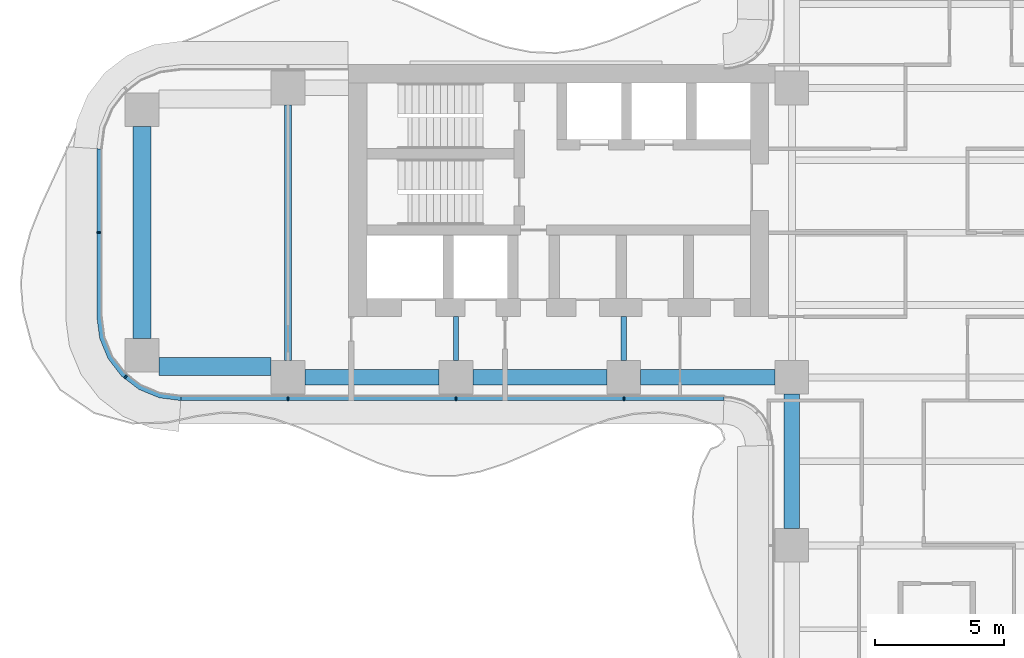
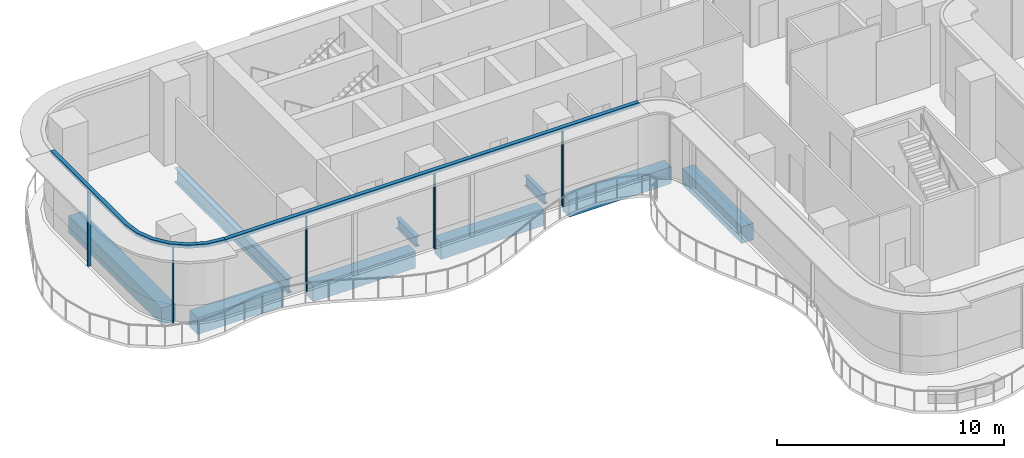
# One storey, part 3 of 20: 9 beams, 7 members, 2 elements without a shape of their own.
"""IFC4 building model written with IfcOpenShell, lengths in metres."""

import ifcopenshell
import ifcopenshell.guid

model = None  # the IFC model being written
_history = None  # IfcOwnerHistory: only IFC2X3 demands one
_inside = {}  # id of a spatial element -> (the spatial element, [elements in it])
_under = {}  # id of a project, library or spatial element -> (it, [spatial elements below it])
_declared = {}  # id of a project -> (the project, [libraries it declares])
_typed = {}  # id of a type object -> (the type object, [elements of that type])
_made_of = {}  # id of a material, layer set ... -> (it, [elements and type objects made of it])


def new_model(schema):
    """Start an empty IFC model of exactly this schema.

    Asked for "IFC4X3", IfcOpenShell would pick the latest addendum, in which some entities
    have other attributes; the version numbers below select the first issue.
    IFC2X3 requires an IfcOwnerHistory on every rooted entity: one is made here for all.
    """
    global model, _history
    if schema == "IFC4X3":
        model = ifcopenshell.file(schema_version=(4, 3, 0, 0))
    else:
        model = ifcopenshell.file(schema=schema)
    _inside.clear()
    _under.clear()
    _declared.clear()
    _typed.clear()
    _made_of.clear()
    _history = None
    if model.schema == "IFC2X3":
        org = make("IfcOrganization", Name="unknown")
        user = make(
            "IfcPersonAndOrganization",
            ThePerson=make("IfcPerson", FamilyName="unknown"),
            TheOrganization=org,
        )
        app = make(
            "IfcApplication",
            ApplicationDeveloper=org,
            Version="unknown",
            ApplicationFullName="unknown",
            ApplicationIdentifier="unknown",
        )
        _history = make(
            "IfcOwnerHistory",
            OwningUser=user,
            OwningApplication=app,
            ChangeAction="ADDED",
            CreationDate=0,
        )
    return model


def make(cls, **values):
    """One entity of the class cls with the attributes given. An attribute that is None is left unset."""
    return model.create_entity(
        cls, **{name: value for name, value in values.items() if value is not None}
    )


def rooted(cls, **values):
    """An entity with a GlobalId (a new one), such as an element, a storey or a relation."""
    return make(cls, GlobalId=ifcopenshell.guid.new(), OwnerHistory=_history, **values)


def si_unit(unit_type, name, prefix=None):
    """IfcSIUnit, for example si_unit("LENGTHUNIT", "METRE", prefix="MILLI")."""
    return make("IfcSIUnit", UnitType=unit_type, Prefix=prefix, Name=name)


def assignment(units):
    """IfcUnitAssignment: the units of a project."""
    return None if units is None else make("IfcUnitAssignment", Units=units)


def point(xyz):
    """IfcCartesianPoint."""
    return None if xyz is None else make("IfcCartesianPoint", Coordinates=xyz)


def direction(xyz):
    """IfcDirection."""
    return None if xyz is None else make("IfcDirection", DirectionRatios=xyz)


def frame(location, z_axis=None, x_axis=None):
    """IfcAxis2Placement3D, a coordinate frame: its origin and axes. An axis left out is left unset."""
    return make(
        "IfcAxis2Placement3D",
        Location=point(location),
        Axis=direction(z_axis),
        RefDirection=direction(x_axis),
    )


def frame_2d(location, x_axis=None):
    """IfcAxis2Placement2D, a coordinate frame in the plane: its origin and x axis."""
    return make(
        "IfcAxis2Placement2D", Location=point(location), RefDirection=direction(x_axis)
    )


def origin():
    """The frame at (0, 0, 0) with its axes left unset."""
    return frame((0.0, 0.0, 0.0))


def origin_2d():
    """The frame at (0, 0) in the plane with its x axis left unset."""
    return frame_2d((0.0, 0.0))


def place(relative_to, where):
    """IfcLocalPlacement: puts the frame where relative to a parent placement (None: the world)."""
    return make(
        "IfcLocalPlacement", PlacementRelTo=relative_to, RelativePlacement=where
    )


def context(
    kind, dimensions, precision=None, world=None, true_north=None, identifier=None
):
    """IfcGeometricRepresentationContext, for example the 3D "Model" context."""
    return make(
        "IfcGeometricRepresentationContext",
        ContextIdentifier=identifier,
        ContextType=kind,
        CoordinateSpaceDimension=dimensions,
        Precision=precision,
        WorldCoordinateSystem=world,
        TrueNorth=true_north,
    )


def subcontext(parent, identifier, kind, view, scale=None):
    """IfcGeometricRepresentationSubContext, for example "Body" below "Model"."""
    return make(
        "IfcGeometricRepresentationSubContext",
        ContextIdentifier=identifier,
        ContextType=kind,
        ParentContext=parent,
        TargetScale=scale,
        TargetView=view,
    )


def project(units=None, contexts=None):
    """IfcProject with its units and contexts."""
    return rooted(
        "IfcProject",
        Name="project",
        RepresentationContexts=contexts,
        UnitsInContext=assignment(units),
    )


def spatial(cls, under=None, at=None, **own):
    """A site, building, storey or space (cls), placed at a placement, below another one or the project."""
    s = rooted(cls, ObjectPlacement=at, **own)
    if under is not None:
        _under.setdefault(under.id(), (under, []))[1].append(s)
    return s


def polyline(points):
    """IfcPolyline through the points."""
    return make("IfcPolyline", Points=[point(p) for p in points])


def profile(cls, at=None, kind="AREA", **sizes):
    """A parametric profile (cls). Its sizes go by their IFC names, for example OverallWidth=200.0."""
    return make(cls, ProfileType=kind, Position=at, **sizes)


def rectangle(**sizes):
    """IfcRectangleProfileDef."""
    return profile("IfcRectangleProfileDef", **sizes)


def i_section(**sizes):
    """IfcIShapeProfileDef."""
    return profile("IfcIShapeProfileDef", **sizes)


def outline(outer, holes=None, kind="AREA"):
    """IfcArbitraryClosedProfileDef: a profile drawn as a closed curve; with holes, ...WithVoids."""
    if holes is None:
        return make("IfcArbitraryClosedProfileDef", ProfileType=kind, OuterCurve=outer)
    return make(
        "IfcArbitraryProfileDefWithVoids",
        ProfileType=kind,
        OuterCurve=outer,
        InnerCurves=holes,
    )


def extrude(swept, where, along, depth):
    """IfcExtrudedAreaSolid: the profile swept, set in the frame where, extruded along a direction by depth."""
    return make(
        "IfcExtrudedAreaSolid",
        SweptArea=swept,
        Position=where,
        ExtrudedDirection=direction(along),
        Depth=depth,
    )


def shape(context_of_items, identifier, shape_type, items):
    """IfcShapeRepresentation: the items that make up one representation, for example the "Body"."""
    return make(
        "IfcShapeRepresentation",
        ContextOfItems=context_of_items,
        RepresentationIdentifier=identifier,
        RepresentationType=shape_type,
        Items=items,
    )


def source(mapping_origin, context_of_items, identifier, shape_type, items):
    """IfcRepresentationMap: a shape defined once, which mapped items show again and again."""
    return make(
        "IfcRepresentationMap",
        MappingOrigin=mapping_origin,
        MappedRepresentation=shape(context_of_items, identifier, shape_type, items),
    )


def transform(
    local_origin,
    x_axis=None,
    y_axis=None,
    z_axis=None,
    scale=None,
    scale2=None,
    scale3=None,
    uniform=True,
):
    """IfcCartesianTransformationOperator3D, or its non-uniform kind. x_axis, y_axis, z_axis: its Axis1, 2, 3."""
    if uniform:
        return make(
            "IfcCartesianTransformationOperator3D",
            Axis1=direction(x_axis),
            Axis2=direction(y_axis),
            LocalOrigin=point(local_origin),
            Scale=scale,
            Axis3=direction(z_axis),
        )
    return make(
        "IfcCartesianTransformationOperator3DnonUniform",
        Axis1=direction(x_axis),
        Axis2=direction(y_axis),
        LocalOrigin=point(local_origin),
        Scale=scale,
        Axis3=direction(z_axis),
        Scale2=scale2,
        Scale3=scale3,
    )


def mapped(mapping_source, mapping_target):
    """IfcMappedItem: shows the shape of a source again, moved by a transform."""
    return make(
        "IfcMappedItem", MappingSource=mapping_source, MappingTarget=mapping_target
    )


def material(Name=None, Category=None):
    """IfcMaterial."""
    return make("IfcMaterial", Name=Name, Category=Category)


def layer(
    of_material, thickness, ventilated=None, Name=None, Category=None, Priority=None
):
    """IfcMaterialLayer: one layer of a wall or slab, of a material (None: an air gap)."""
    return make(
        "IfcMaterialLayer",
        Material=of_material,
        LayerThickness=thickness,
        IsVentilated=ventilated,
        Name=Name,
        Category=Category,
        Priority=Priority,
    )


def layer_set(layers, Name=None):
    """IfcMaterialLayerSet."""
    return make("IfcMaterialLayerSet", MaterialLayers=layers, LayerSetName=Name)


def material_profile(
    of_material, cross_section, Name=None, Category=None, Priority=None
):
    """IfcMaterialProfile: a cross section and its material."""
    return make(
        "IfcMaterialProfile",
        Name=Name,
        Material=of_material,
        Profile=cross_section,
        Priority=Priority,
        Category=Category,
    )


def profile_set(profiles, Name=None, composite=None):
    """IfcMaterialProfileSet."""
    return make(
        "IfcMaterialProfileSet",
        Name=Name,
        MaterialProfiles=profiles,
        CompositeProfile=composite,
    )


def made_of(thing, what):
    """Note that an element or type object is made of a material, layer set ...; save() writes the relation."""
    if what is not None:
        _made_of.setdefault(what.id(), (what, []))[1].append(thing)
    return thing


def type_object(cls, material=None, **own):
    """A type object (cls), such as IfcWallType, which elements share."""
    return made_of(rooted(cls, **own), material)


def element(
    cls,
    number,
    at=None,
    inside=None,
    cuts=None,
    type_object=None,
    material=None,
    context=None,
    identifier="Body",
    shape_type=None,
    held_by="IfcProductDefinitionShape",
    body=None,
    shapes=None,
    **own,
):
    """One element of the class cls, such as IfcWall. Its Tag is "e" and its number.

    at: its placement. inside: the storey or other place that contains it. cuts: it is an
    opening in that element (IfcRelVoidsElement). A single representation is given by context,
    identifier, shape_type and body (its items); several are given by shapes. held_by: the class
    of the entity that holds the representations. save() writes the other relations.
    """
    e = rooted(cls, Tag="e%d" % number, ObjectPlacement=at, **own)
    if body is not None:
        shapes = [shape(context, identifier, shape_type, body)]
    if shapes is not None:
        e.Representation = make(held_by, Representations=shapes)
    if inside is not None:
        _inside.setdefault(inside.id(), (inside, []))[1].append(e)
    if cuts is not None:
        rooted(
            "IfcRelVoidsElement", RelatingBuildingElement=cuts, RelatedOpeningElement=e
        )
    if type_object is not None:
        _typed.setdefault(type_object.id(), (type_object, []))[1].append(e)
    return made_of(e, material)


def aggregate(whole, parts):
    """IfcRelAggregates: a whole, such as a stair, and the parts it consists of."""
    return rooted("IfcRelAggregates", RelatingObject=whole, RelatedObjects=parts)


def save(model, path):
    """Write the relations noted so far, then the file.

    IfcRelAggregates (storeys below a building ...), IfcRelContainedInSpatialStructure (elements
    in a storey), IfcRelDefinesByType, IfcRelAssociatesMaterial and IfcRelDeclares: one each for
    every whole, place, type object, material and project.
    """
    for whole, parts in _under.values():
        aggregate(whole, parts)
    for where, things in _inside.values():
        rooted(
            "IfcRelContainedInSpatialStructure",
            RelatedElements=things,
            RelatingStructure=where,
        )
    for kind, things in _typed.values():
        rooted("IfcRelDefinesByType", RelatedObjects=things, RelatingType=kind)
    for what, things in _made_of.values():
        rooted("IfcRelAssociatesMaterial", RelatedObjects=things, RelatingMaterial=what)
    for by, libraries in _declared.values():
        rooted("IfcRelDeclares", RelatingContext=by, RelatedDefinitions=libraries)
    model.write(path)


model = new_model("IFC4")

# Units and contexts
model_context = context("Model", 3, precision=1e-05, world=origin(), true_north=direction((0.0, 1.0)))
body_context = subcontext(model_context, "Body", "Model", "MODEL_VIEW")
ifc_project = project(units=[si_unit("LENGTHUNIT", "METRE"), si_unit("AREAUNIT", "SQUARE_METRE"), si_unit("VOLUMEUNIT", "CUBIC_METRE"), si_unit("PLANEANGLEUNIT", "RADIAN"), si_unit("MASSUNIT", "GRAM", prefix="KILO")], contexts=[model_context])

# Site, building, storey
site_placement = place(None, origin())
site = spatial("IfcSite", under=ifc_project, at=site_placement, CompositionType="ELEMENT")
building_placement = place(site_placement, origin())
building = spatial("IfcBuilding", under=site, at=building_placement, Name="Trellis Farm Tower", CompositionType="ELEMENT")
storey_placement = place(building_placement, frame((0.0, 0.0, 129.0)))
storey = spatial("IfcBuildingStorey", under=building, at=storey_placement, Name="L27", CompositionType="ELEMENT", Elevation=129.0)

# Beams
ifc_material_1 = material(Name="Steel S355", Category="steel")
ifc_material_profile_1 = material_profile(ifc_material_1, i_section(OverallWidth=0.2666015625, OverallDepth=0.76220703125, WebThickness=0.014404296875, FlangeThickness=0.021484375, FilletRadius=0.0166015625, at=origin_2d()), Name="UB 762x267x173")
ifc_profile_set_1 = profile_set([ifc_material_profile_1], Name="Steel S355")
beam_type_1 = type_object("IfcBeamType", Name="UB 762x267x173", PredefinedType="BEAM", material=ifc_profile_set_1)
shared_shape_1 = source(origin(), body_context, "Body", "SweptSolid", [
    extrude(i_section(OverallWidth=0.2666015625, OverallDepth=0.76220703125, WebThickness=0.014404296875, FlangeThickness=0.021484375, FilletRadius=0.0166015625, at=origin_2d()), origin(), (0.0, 0.0, 1.0), 9.89990234375),
])
beam_1_placement = place(storey_placement, frame((-25.10009765625, -4.949951171875, -0.631103515625), z_axis=(0.0, 1.0, 0.0), x_axis=(-1.0, 0.0, 0.0)))
element("IfcBeam", 1, at=beam_1_placement, inside=storey, type_object=beam_type_1, Name="Girder", PredefinedType="BEAM", context=body_context, shape_type="MappedRepresentation", body=[
    mapped(shared_shape_1, transform((0.0, 0.0, 0.0))),
])
ifc_material_profile_2 = material_profile(ifc_material_1, i_section(OverallWidth=0.209228515625, OverallDepth=0.533203125, WebThickness=0.010009765625, FlangeThickness=0.015625, FilletRadius=0.0126953125, at=origin_2d()), Name="UB 533x210x92")
ifc_profile_set_2 = profile_set([ifc_material_profile_2], Name="Steel S355")
beam_type_2 = type_object("IfcBeamType", Name="UB 533x210x92", PredefinedType="BEAM", material=ifc_profile_set_2)
shared_shape_2 = source(origin(), body_context, "Body", "SweptSolid", [
    extrude(i_section(OverallWidth=0.209228515625, OverallDepth=0.533203125, WebThickness=0.010009765625, FlangeThickness=0.015625, FilletRadius=0.0126953125, at=origin_2d()), origin(), (0.0, 0.0, 1.0), 1.699951171875),
])
for number, where, z_axis, x_axis, name in (
    (2, (-18.60009765625, -4.949951171875, -0.5166015625), (0.0, 1.0, 0.0), (-1.0, 0.0, 0.0), "Girder"),
    (3, (-12.10009765625, -4.949951171875, -0.5166015625), (0.0, 1.0, 0.0), (-1.0, 0.0, 0.0), "Girder"),
):
    element("IfcBeam", number, at=place(storey_placement, frame(where, z_axis=z_axis, x_axis=x_axis)), inside=storey, type_object=beam_type_2, Name=name, PredefinedType="BEAM", context=body_context, shape_type="MappedRepresentation", body=[
        mapped(shared_shape_2, transform((0.0, 0.0, 0.0))),
    ])
ifc_material_2 = material(Name="Concrete C60/75", Category="concrete")
ifc_material_profile_3 = material_profile(ifc_material_2, rectangle(XDim=0.60009765625, YDim=0.89990234375, at=origin_2d()), Name="RC spandrel beam 600x900 C60/75")
ifc_profile_set_3 = profile_set([ifc_material_profile_3], Name="Concrete C60/75")
beam_type_3 = type_object("IfcBeamType", Name="RC spandrel beam 600x900 C60/75", PredefinedType="SPANDREL", material=ifc_profile_set_3)
shared_shape_3 = source(origin(), body_context, "Body", "SweptSolid", [
    extrude(rectangle(XDim=0.60009765625, YDim=0.89990234375, at=origin_2d()), origin(), (0.0, 0.0, 1.0), 5.199951171875),
])
for number, where, z_axis, x_axis, name in (
    (4, (-24.449951171875, -5.60009765625, -0.699951171875), (1.0, 0.0, 0.0), (0.0, 1.0, 0.0), "Girder"),
    (5, (-17.949951171875, -5.60009765625, -0.699951171875), (1.0, 0.0, 0.0), (0.0, 1.0, 0.0), "Girder"),
    (6, (-11.449951171875, -5.60009765625, -0.699951171875), (1.0, 0.0, 0.0), (0.0, 1.0, 0.0), "Girder"),
    (7, (-5.60009765625, -11.449951171875, -0.699951171875), (0.0, 1.0, 0.0), (-1.0, 0.0, 0.0), "Girder"),
):
    element("IfcBeam", number, at=place(storey_placement, frame(where, z_axis=z_axis, x_axis=x_axis)), inside=storey, type_object=beam_type_3, Name=name, PredefinedType="SPANDREL", context=body_context, shape_type="MappedRepresentation", body=[
        mapped(shared_shape_3, transform((0.0, 0.0, 0.0))),
    ])
ifc_material_profile_4 = material_profile(ifc_material_2, rectangle(XDim=0.699951171875, YDim=0.89990234375, at=origin_2d()), Name="RC spandrel beam 700x900 C60/75")
ifc_profile_set_4 = profile_set([ifc_material_profile_4], Name="Concrete C60/75")
beam_type_4 = type_object("IfcBeamType", Name="RC spandrel beam 700x900 C60/75", PredefinedType="SPANDREL", material=ifc_profile_set_4)
shared_shape_4 = source(origin(), body_context, "Body", "SweptSolid", [
    extrude(rectangle(XDim=0.699951171875, YDim=0.89990234375, at=origin_2d()), origin(), (0.0, 0.0, 1.0), 4.35009765625),
])
beam_2_placement = place(storey_placement, frame((-30.10009765625, -5.175048828125, -0.699951171875), z_axis=(1.0, 0.0, 0.0), x_axis=(0.0, 1.0, 0.0)))
element("IfcBeam", 8, at=beam_2_placement, inside=storey, type_object=beam_type_4, Name="Girder", PredefinedType="SPANDREL", context=body_context, shape_type="MappedRepresentation", body=[
    mapped(shared_shape_4, transform((0.0, 0.0, 0.0))),
])
shared_shape_5 = source(origin(), body_context, "Body", "SweptSolid", [
    extrude(rectangle(XDim=0.699951171875, YDim=0.89990234375, at=origin_2d()), origin(), (0.0, 0.0, 1.0), 8.2001953125),
])
beam_3_placement = place(storey_placement, frame((-30.75, -4.10009765625, -0.699951171875), z_axis=(0.0, 1.0, 0.0), x_axis=(-1.0, 0.0, 0.0)))
element("IfcBeam", 9, at=beam_3_placement, inside=storey, type_object=beam_type_4, Name="Girder", PredefinedType="SPANDREL", context=body_context, shape_type="MappedRepresentation", body=[
    mapped(shared_shape_5, transform((0.0, 0.0, 0.0))),
])

# Curtain wall, members
ifc_material_3 = material(Name="Aluminium and glass curtain wall", Category="aluminium")
ifc_layer_1 = layer(ifc_material_3, 0.18994140625)
ifc_layer_set_1 = layer_set([ifc_layer_1], Name="RIBBON CURTAIN WALL CW1")
curtain_wall_type = type_object("IfcCurtainWallType", Name="RIBBON CURTAIN WALL CW1", PredefinedType="NOTDEFINED", material=ifc_layer_set_1)
placement_1 = place(storey_placement, origin())
curtain_wall_1 = element("IfcCurtainWall", 10, at=placement_1, inside=storey, type_object=curtain_wall_type, Name="CW1 001", PredefinedType="NOTDEFINED")
ifc_material_4 = material(Name="Aluminium extrusion 6063-T6", Category="aluminium")
ifc_material_profile_5 = material_profile(ifc_material_4, rectangle(XDim=0.06005859375, YDim=0.14990234375, at=origin_2d()), Name="MULLION 60x150")
ifc_profile_set_5 = profile_set([ifc_material_profile_5], Name="Aluminium extrusion 6063-T6")
member_type_1 = type_object("IfcMemberType", Name="CW1 MULLION 60x150", PredefinedType="MULLION", material=ifc_profile_set_5)
shared_shape_6 = source(origin(), body_context, "Body", "SweptSolid", [
    extrude(rectangle(XDim=0.06005859375, YDim=0.14990234375, at=origin_2d()), origin(), (0.0, 0.0, 1.0), 4.070068359375),
])
member_1_placement = place(storey_placement, frame((-25.10009765625, -6.425048828125, 0.0), z_axis=(0.0, 0.0, 1.0), x_axis=(1.0, 0.0, 0.0)))
member_1 = element("IfcMember", 11, at=member_1_placement, type_object=member_type_1, Name="MU1 001-01", PredefinedType="MULLION", context=body_context, shape_type="MappedRepresentation", body=[
    mapped(shared_shape_6, transform((0.0, 0.0, 0.0))),
])
member_2_placement = place(storey_placement, frame((-18.60009765625, -6.425048828125, 0.0), z_axis=(0.0, 0.0, 1.0), x_axis=(1.0, 0.0, 0.0)))
member_2 = element("IfcMember", 12, at=member_2_placement, type_object=member_type_1, Name="MU1 001-02", PredefinedType="MULLION", context=body_context, shape_type="MappedRepresentation", body=[
    mapped(shared_shape_6, transform((0.0, 0.0, 0.0))),
])
member_3_placement = place(storey_placement, frame((-12.10009765625, -6.425048828125, 0.0), z_axis=(0.0, 0.0, 1.0), x_axis=(1.0, 0.0, 0.0)))
member_3 = element("IfcMember", 13, at=member_3_placement, type_object=member_type_1, Name="MU1 001-03", PredefinedType="MULLION", context=body_context, shape_type="MappedRepresentation", body=[
    mapped(shared_shape_6, transform((0.0, 0.0, 0.0))),
])

curtain_wall_2 = element("IfcCurtainWall", 14, at=placement_1, inside=storey, type_object=curtain_wall_type, Name="CW1 013", PredefinedType="NOTDEFINED")
member_4_placement = place(storey_placement, frame((-32.425048828125, 0.0, 0.0), z_axis=(0.0, 0.0, 1.0), x_axis=(0.0, -1.0, 0.0)))
member_4 = element("IfcMember", 15, at=member_4_placement, type_object=member_type_1, Name="MU1 013-01", PredefinedType="MULLION", context=body_context, shape_type="MappedRepresentation", body=[
    mapped(shared_shape_6, transform((0.0, 0.0, 0.0))),
])
member_5_placement = place(storey_placement, frame((-31.385498046875, -5.578369140625, 0.0), z_axis=(0.0, 0.0, 1.0), x_axis=(0.793353340291, -0.608761429009, 0.0)))
member_5 = element("IfcMember", 16, at=member_5_placement, type_object=member_type_1, Name="MU1 013-02", PredefinedType="MULLION", context=body_context, shape_type="MappedRepresentation", body=[
    mapped(shared_shape_6, transform((0.0, 0.0, 0.0))),
])

# Member
ifc_layer_2 = layer(ifc_material_4, 0.199951171875)
ifc_layer_set_2 = layer_set([ifc_layer_2], Name="Aluminium extrusion 6063-T6")
member_type_2 = type_object("IfcMemberType", Name="CW1 TRANSOM 200x180", PredefinedType="USERDEFINED", material=ifc_layer_set_2)
shared_shape_7 = source(origin(), body_context, "Body", "SweptSolid", [
    extrude(outline(polyline([(-29.25, -6.5), (-8.2314453125, -6.5), (-8.224853515625, -6.300048828125), (-29.23681640625, -6.300048828125), (-29.25, -6.5)])), origin(), (0.0, 0.0, 1.0), 0.179931640625),
])
placement_2 = place(storey_placement, frame((0.0, 0.0, 4.070068359375)))
member_6 = element("IfcMember", 17, at=placement_2, type_object=member_type_2, Name="TR1 001", ObjectType="TRANSOM", PredefinedType="USERDEFINED", context=body_context, shape_type="MappedRepresentation", body=[
    mapped(shared_shape_7, transform((0.0, 0.0, 0.0))),
])

aggregate(curtain_wall_1, [member_1, member_2, member_3, member_6])

shared_shape_8 = source(origin(), body_context, "Body", "SweptSolid", [
    extrude(outline(polyline([(-32.5, 3.25), (-32.5, -3.25), (-32.38916015625, -4.091064453125), (-32.064697265625, -4.875), (-31.548095703125, -5.548095703125), (-30.875, -6.064697265625), (-30.091064453125, -6.38916015625), (-29.25, -6.5), (-29.23681640625, -6.300048828125), (-30.0390625, -6.1943359375), (-30.774169921875, -5.889892578125), (-31.405517578125, -5.405517578125), (-31.889892578125, -4.774169921875), (-32.1943359375, -4.0390625), (-32.300048828125, -3.23681640625), (-32.300048828125, 3.23681640625), (-32.5, 3.25)])), origin(), (0.0, 0.0, 1.0), 0.179931640625),
])
member_7 = element("IfcMember", 18, at=placement_2, type_object=member_type_2, Name="TR1 013", ObjectType="TRANSOM", PredefinedType="USERDEFINED", context=body_context, shape_type="MappedRepresentation", body=[
    mapped(shared_shape_8, transform((0.0, 0.0, 0.0))),
])

aggregate(curtain_wall_2, [member_4, member_5, member_7])

save(model, "model.ifc")
